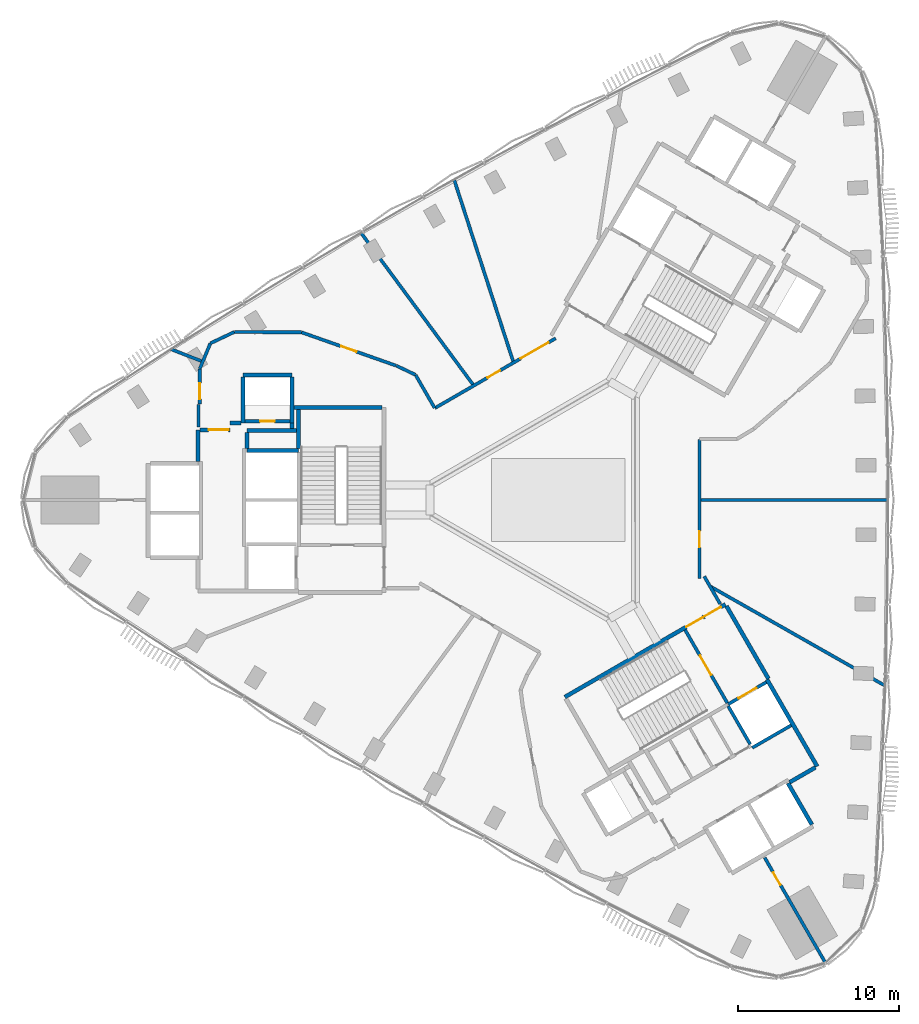
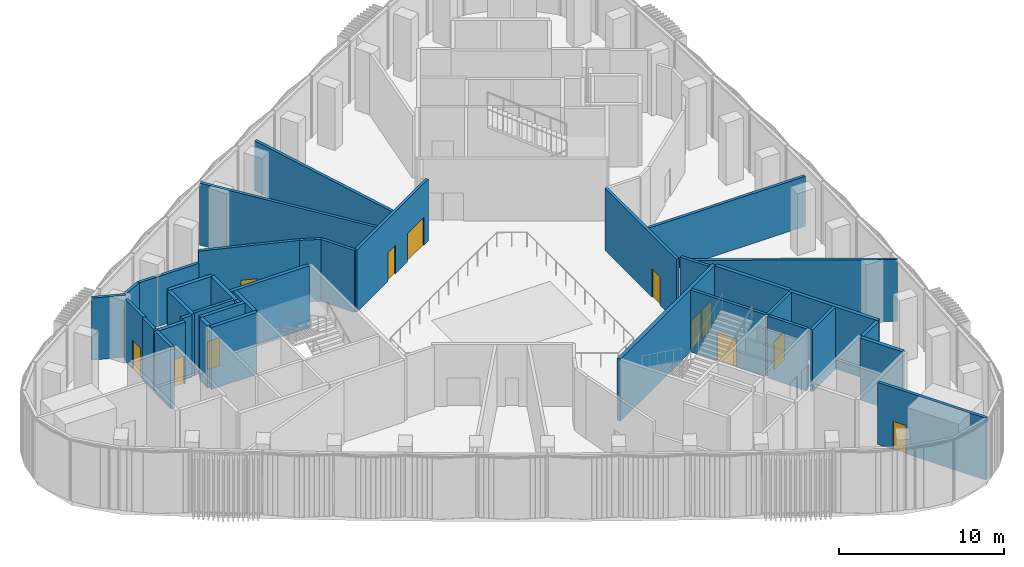
# One storey, part 9 of 17: 39 walls, 12 doors, 12 openings.
"""IFC4 building model written with IfcOpenShell, lengths in metres."""

import ifcopenshell
import ifcopenshell.guid

model = None  # the IFC model being written
_history = None  # IfcOwnerHistory: only IFC2X3 demands one
_inside = {}  # id of a spatial element -> (the spatial element, [elements in it])
_under = {}  # id of a project, library or spatial element -> (it, [spatial elements below it])
_declared = {}  # id of a project -> (the project, [libraries it declares])
_typed = {}  # id of a type object -> (the type object, [elements of that type])
_made_of = {}  # id of a material, layer set ... -> (it, [elements and type objects made of it])


def new_model(schema):
    """Start an empty IFC model of exactly this schema.

    Asked for "IFC4X3", IfcOpenShell would pick the latest addendum, in which some entities
    have other attributes; the version numbers below select the first issue.
    IFC2X3 requires an IfcOwnerHistory on every rooted entity: one is made here for all.
    """
    global model, _history
    if schema == "IFC4X3":
        model = ifcopenshell.file(schema_version=(4, 3, 0, 0))
    else:
        model = ifcopenshell.file(schema=schema)
    _inside.clear()
    _under.clear()
    _declared.clear()
    _typed.clear()
    _made_of.clear()
    _history = None
    if model.schema == "IFC2X3":
        org = make("IfcOrganization", Name="unknown")
        user = make(
            "IfcPersonAndOrganization",
            ThePerson=make("IfcPerson", FamilyName="unknown"),
            TheOrganization=org,
        )
        app = make(
            "IfcApplication",
            ApplicationDeveloper=org,
            Version="unknown",
            ApplicationFullName="unknown",
            ApplicationIdentifier="unknown",
        )
        _history = make(
            "IfcOwnerHistory",
            OwningUser=user,
            OwningApplication=app,
            ChangeAction="ADDED",
            CreationDate=0,
        )
    return model


def make(cls, **values):
    """One entity of the class cls with the attributes given. An attribute that is None is left unset."""
    return model.create_entity(
        cls, **{name: value for name, value in values.items() if value is not None}
    )


def rooted(cls, **values):
    """An entity with a GlobalId (a new one), such as an element, a storey or a relation."""
    return make(cls, GlobalId=ifcopenshell.guid.new(), OwnerHistory=_history, **values)


def si_unit(unit_type, name, prefix=None):
    """IfcSIUnit, for example si_unit("LENGTHUNIT", "METRE", prefix="MILLI")."""
    return make("IfcSIUnit", UnitType=unit_type, Prefix=prefix, Name=name)


def assignment(units):
    """IfcUnitAssignment: the units of a project."""
    return None if units is None else make("IfcUnitAssignment", Units=units)


def point(xyz):
    """IfcCartesianPoint."""
    return None if xyz is None else make("IfcCartesianPoint", Coordinates=xyz)


def direction(xyz):
    """IfcDirection."""
    return None if xyz is None else make("IfcDirection", DirectionRatios=xyz)


def frame(location, z_axis=None, x_axis=None):
    """IfcAxis2Placement3D, a coordinate frame: its origin and axes. An axis left out is left unset."""
    return make(
        "IfcAxis2Placement3D",
        Location=point(location),
        Axis=direction(z_axis),
        RefDirection=direction(x_axis),
    )


def frame_2d(location, x_axis=None):
    """IfcAxis2Placement2D, a coordinate frame in the plane: its origin and x axis."""
    return make(
        "IfcAxis2Placement2D", Location=point(location), RefDirection=direction(x_axis)
    )


def origin():
    """The frame at (0, 0, 0) with its axes left unset."""
    return frame((0.0, 0.0, 0.0))


def place(relative_to, where):
    """IfcLocalPlacement: puts the frame where relative to a parent placement (None: the world)."""
    return make(
        "IfcLocalPlacement", PlacementRelTo=relative_to, RelativePlacement=where
    )


def context(
    kind, dimensions, precision=None, world=None, true_north=None, identifier=None
):
    """IfcGeometricRepresentationContext, for example the 3D "Model" context."""
    return make(
        "IfcGeometricRepresentationContext",
        ContextIdentifier=identifier,
        ContextType=kind,
        CoordinateSpaceDimension=dimensions,
        Precision=precision,
        WorldCoordinateSystem=world,
        TrueNorth=true_north,
    )


def subcontext(parent, identifier, kind, view, scale=None):
    """IfcGeometricRepresentationSubContext, for example "Body" below "Model"."""
    return make(
        "IfcGeometricRepresentationSubContext",
        ContextIdentifier=identifier,
        ContextType=kind,
        ParentContext=parent,
        TargetScale=scale,
        TargetView=view,
    )


def project(units=None, contexts=None):
    """IfcProject with its units and contexts."""
    return rooted(
        "IfcProject",
        Name="project",
        RepresentationContexts=contexts,
        UnitsInContext=assignment(units),
    )


def spatial(cls, under=None, at=None, **own):
    """A site, building, storey or space (cls), placed at a placement, below another one or the project."""
    s = rooted(cls, ObjectPlacement=at, **own)
    if under is not None:
        _under.setdefault(under.id(), (under, []))[1].append(s)
    return s


def profile(cls, at=None, kind="AREA", **sizes):
    """A parametric profile (cls). Its sizes go by their IFC names, for example OverallWidth=200.0."""
    return make(cls, ProfileType=kind, Position=at, **sizes)


def rectangle(**sizes):
    """IfcRectangleProfileDef."""
    return profile("IfcRectangleProfileDef", **sizes)


def extrude(swept, where, along, depth):
    """IfcExtrudedAreaSolid: the profile swept, set in the frame where, extruded along a direction by depth."""
    return make(
        "IfcExtrudedAreaSolid",
        SweptArea=swept,
        Position=where,
        ExtrudedDirection=direction(along),
        Depth=depth,
    )


def shape(context_of_items, identifier, shape_type, items):
    """IfcShapeRepresentation: the items that make up one representation, for example the "Body"."""
    return make(
        "IfcShapeRepresentation",
        ContextOfItems=context_of_items,
        RepresentationIdentifier=identifier,
        RepresentationType=shape_type,
        Items=items,
    )


def material(Name=None, Category=None):
    """IfcMaterial."""
    return make("IfcMaterial", Name=Name, Category=Category)


def layer(
    of_material, thickness, ventilated=None, Name=None, Category=None, Priority=None
):
    """IfcMaterialLayer: one layer of a wall or slab, of a material (None: an air gap)."""
    return make(
        "IfcMaterialLayer",
        Material=of_material,
        LayerThickness=thickness,
        IsVentilated=ventilated,
        Name=Name,
        Category=Category,
        Priority=Priority,
    )


def layer_set(layers, Name=None):
    """IfcMaterialLayerSet."""
    return make("IfcMaterialLayerSet", MaterialLayers=layers, LayerSetName=Name)


def made_of(thing, what):
    """Note that an element or type object is made of a material, layer set ...; save() writes the relation."""
    if what is not None:
        _made_of.setdefault(what.id(), (what, []))[1].append(thing)
    return thing


def type_object(cls, material=None, **own):
    """A type object (cls), such as IfcWallType, which elements share."""
    return made_of(rooted(cls, **own), material)


def element(
    cls,
    number,
    at=None,
    inside=None,
    cuts=None,
    type_object=None,
    material=None,
    context=None,
    identifier="Body",
    shape_type=None,
    held_by="IfcProductDefinitionShape",
    body=None,
    shapes=None,
    **own,
):
    """One element of the class cls, such as IfcWall. Its Tag is "e" and its number.

    at: its placement. inside: the storey or other place that contains it. cuts: it is an
    opening in that element (IfcRelVoidsElement). A single representation is given by context,
    identifier, shape_type and body (its items); several are given by shapes. held_by: the class
    of the entity that holds the representations. save() writes the other relations.
    """
    e = rooted(cls, Tag="e%d" % number, ObjectPlacement=at, **own)
    if body is not None:
        shapes = [shape(context, identifier, shape_type, body)]
    if shapes is not None:
        e.Representation = make(held_by, Representations=shapes)
    if inside is not None:
        _inside.setdefault(inside.id(), (inside, []))[1].append(e)
    if cuts is not None:
        rooted(
            "IfcRelVoidsElement", RelatingBuildingElement=cuts, RelatedOpeningElement=e
        )
    if type_object is not None:
        _typed.setdefault(type_object.id(), (type_object, []))[1].append(e)
    return made_of(e, material)


def fill(opening, filler):
    """IfcRelFillsElement: the door or window that sits in an opening."""
    return rooted(
        "IfcRelFillsElement",
        RelatingOpeningElement=opening,
        RelatedBuildingElement=filler,
    )


def aggregate(whole, parts):
    """IfcRelAggregates: a whole, such as a stair, and the parts it consists of."""
    return rooted("IfcRelAggregates", RelatingObject=whole, RelatedObjects=parts)


def save(model, path):
    """Write the relations noted so far, then the file.

    IfcRelAggregates (storeys below a building ...), IfcRelContainedInSpatialStructure (elements
    in a storey), IfcRelDefinesByType, IfcRelAssociatesMaterial and IfcRelDeclares: one each for
    every whole, place, type object, material and project.
    """
    for whole, parts in _under.values():
        aggregate(whole, parts)
    for where, things in _inside.values():
        rooted(
            "IfcRelContainedInSpatialStructure",
            RelatedElements=things,
            RelatingStructure=where,
        )
    for kind, things in _typed.values():
        rooted("IfcRelDefinesByType", RelatedObjects=things, RelatingType=kind)
    for what, things in _made_of.values():
        rooted("IfcRelAssociatesMaterial", RelatedObjects=things, RelatingMaterial=what)
    for by, libraries in _declared.values():
        rooted("IfcRelDeclares", RelatingContext=by, RelatedDefinitions=libraries)
    model.write(path)


model = new_model("IFC4")

# Units and contexts
model_context = context("Model", 3, precision=1e-05, world=origin(), true_north=direction((0.0, 1.0)))
body_context = subcontext(model_context, "Body", "Model", "MODEL_VIEW")
ifc_project = project(units=[si_unit("LENGTHUNIT", "METRE"), si_unit("AREAUNIT", "SQUARE_METRE"), si_unit("VOLUMEUNIT", "CUBIC_METRE"), si_unit("PLANEANGLEUNIT", "RADIAN"), si_unit("MASSUNIT", "GRAM", prefix="KILO")], contexts=[model_context])

# Site, building, storey
site_placement = place(None, origin())
site = spatial("IfcSite", under=ifc_project, at=site_placement, CompositionType="ELEMENT")
building_placement = place(site_placement, origin())
building = spatial("IfcBuilding", under=site, at=building_placement, Name="Tamra Quay Hotel Tower", CompositionType="ELEMENT")
storey_placement = place(building_placement, frame((0.0, 0.0, 123.800048828125)))
storey = spatial("IfcBuildingStorey", under=building, at=storey_placement, Name="L30", CompositionType="ELEMENT", Elevation=123.800048828125)

# Wall, opening, door
ifc_material_1 = material(Name="Concrete M70", Category="concrete")
ifc_layer_1 = layer(ifc_material_1, 0.199951171875)
ifc_layer_set_1 = layer_set([ifc_layer_1], Name="Concrete M70 core wall 200")
wall_type_1 = type_object("IfcWallType", Name="Concrete M70 core wall 200", PredefinedType="SHEAR", material=ifc_layer_set_1)
wall_1_placement = place(storey_placement, frame((-19.51123046875, 4.91015625, 0.0), z_axis=(0.0, 0.0, 1.0), x_axis=(1.0, 0.0, 0.0)))
wall_1 = element("IfcWall", 1, at=wall_1_placement, inside=storey, type_object=wall_type_1, Name="CW2", PredefinedType="SHEAR", context=body_context, shape_type="SweptSolid", body=[
    extrude(rectangle(XDim=2.7978515625, YDim=0.199951171875, at=frame_2d((1.39892578125, 0.0))), origin(), (0.0, 0.0, 1.0), 4.599853515625),
])
opening_1_placement = place(wall_1_placement, frame((0.948974609375, 0.0, 0.0)))
opening_1 = element("IfcOpeningElement", 2, at=opening_1_placement, cuts=wall_1, Name="Opening D1", PredefinedType="OPENING", context=body_context, shape_type="SweptSolid", body=[
    extrude(rectangle(XDim=0.89990234375, YDim=2.10009765625, at=frame_2d((0.449951171875, 1.050048828125))), frame((0.0, 0.10986328125, 0.0), z_axis=(0.0, -1.0, 0.0), x_axis=(1.0, 0.0, 0.0)), (0.0, 0.0, 1.0), 0.219970703125),
])
ifc_material_2 = material(Name="Core door D1 900x2100 LH")
door_type_1 = type_object("IfcDoorType", Name="Core door D1 900x2100 LH", OperationType="NOTDEFINED", PredefinedType="DOOR", material=ifc_material_2)
door_1_placement = place(opening_1_placement, origin())
door_1 = element("IfcDoor", 3, at=door_1_placement, inside=storey, type_object=door_type_1, Name="D1", OperationType="SINGLE_SWING_LEFT", OverallHeight=2.10009765625, OverallWidth=0.89990234375, PredefinedType="DOOR", context=body_context, shape_type="SweptSolid", body=[
    extrude(rectangle(XDim=0.89990234375, YDim=2.10009765625, at=frame_2d((0.449951171875, 1.050048828125))), frame((0.0, 0.02490234375, 0.0), z_axis=(0.0, -1.0, 0.0), x_axis=(1.0, 0.0, 0.0)), (0.0, 0.0, 1.0), 0.050048828125),
])
fill(opening_1, door_1)

wall_2_placement = place(storey_placement, frame((7.906494140625, -8.094482421875, 0.0), z_axis=(0.0, 0.0, 1.0), x_axis=(0.500024287448, -0.866011380966, 0.0)))
wall_2 = element("IfcWall", 4, at=wall_2_placement, inside=storey, type_object=wall_type_1, Name="CW2", PredefinedType="SHEAR", context=body_context, shape_type="SweptSolid", body=[
    extrude(rectangle(XDim=5.251220703125, YDim=0.199951171875, at=frame_2d((2.62548828125, 0.0))), origin(), (0.0, 0.0, 1.0), 4.599853515625),
])
opening_2_placement = place(wall_2_placement, frame((1.84912109375, 0.0, 0.0)))
opening_2 = element("IfcOpeningElement", 5, at=opening_2_placement, cuts=wall_2, Name="Opening FD2", PredefinedType="OPENING", context=body_context, shape_type="SweptSolid", body=[
    extrude(rectangle(XDim=1.39990234375, YDim=2.10009765625, at=frame_2d((0.699951171875, 1.050048828125))), frame((0.0, 0.10986328125, 0.0), z_axis=(0.0, -1.0, 0.0), x_axis=(1.0, 0.0, 0.0)), (0.0, 0.0, 1.0), 0.219970703125),
])
ifc_material_3 = material(Name="Core door FD2 1400x2100 LH")
door_type_2 = type_object("IfcDoorType", Name="Core door FD2 1400x2100 LH", OperationType="NOTDEFINED", PredefinedType="DOOR", material=ifc_material_3)
door_2_placement = place(opening_2_placement, origin())
door_2 = element("IfcDoor", 6, at=door_2_placement, inside=storey, type_object=door_type_2, Name="FD2", OperationType="SINGLE_SWING_LEFT", OverallHeight=2.10009765625, OverallWidth=1.39990234375, PredefinedType="DOOR", context=body_context, shape_type="SweptSolid", body=[
    extrude(rectangle(XDim=1.39990234375, YDim=2.10009765625, at=frame_2d((0.699951171875, 1.050048828125))), frame((0.0, 0.02490234375, 0.0), z_axis=(0.0, -1.0, 0.0), x_axis=(1.0, 0.0, 0.0)), (0.0, 0.0, 1.0), 0.050048828125),
])
fill(opening_2, door_2)

# Wall
wall_3_placement = place(storey_placement, frame((11.962646484375, -15.219970703125, 0.0), z_axis=(0.0, 0.0, 1.0), x_axis=(-0.500034990121, 0.866005201286, 0.0)))
element("IfcWall", 7, at=wall_3_placement, inside=storey, type_object=wall_type_1, Name="CW2", PredefinedType="SHEAR", context=body_context, shape_type="SweptSolid", body=[
    extrude(rectangle(XDim=2.749755859375, YDim=0.199951171875, at=frame_2d((1.375, 0.0))), origin(), (0.0, 0.0, 1.0), 4.599853515625),
])

# Wall, opening, door
wall_4_placement = place(storey_placement, frame((10.587158203125, -12.72314453125, 0.0), z_axis=(0.0, 0.0, 1.0), x_axis=(0.866037306777, 0.499979382845, 0.0)))
wall_4 = element("IfcWall", 8, at=wall_4_placement, inside=storey, type_object=wall_type_1, Name="CW2", PredefinedType="SHEAR", context=body_context, shape_type="SweptSolid", body=[
    extrude(rectangle(XDim=2.74169921875, YDim=0.199951171875, at=frame_2d((1.370849609375, 0.0))), origin(), (0.0, 0.0, 1.0), 4.599853515625),
])
opening_3_placement = place(wall_4_placement, frame((0.742919921875, 0.0, 0.0)))
opening_3 = element("IfcOpeningElement", 9, at=opening_3_placement, cuts=wall_4, Name="Opening LD", PredefinedType="OPENING", context=body_context, shape_type="SweptSolid", body=[
    extrude(rectangle(XDim=1.300048828125, YDim=2.10009765625, at=frame_2d((0.64990234375, 1.050048828125))), frame((0.0, 0.10986328125, 0.0), z_axis=(0.0, -1.0, 0.0), x_axis=(1.0, 0.0, 0.0)), (0.0, 0.0, 1.0), 0.219970703125),
])
ifc_material_4 = material(Name="Landing door LD 1300 sliding to left")
door_type_3 = type_object("IfcDoorType", Name="Landing door LD 1300 sliding to left", OperationType="NOTDEFINED", PredefinedType="DOOR", material=ifc_material_4)
door_3_placement = place(opening_3_placement, origin())
door_3 = element("IfcDoor", 10, at=door_3_placement, inside=storey, type_object=door_type_3, Name="LD", OperationType="SLIDING_TO_LEFT", OverallHeight=2.10009765625, OverallWidth=1.300048828125, PredefinedType="DOOR", context=body_context, shape_type="SweptSolid", body=[
    extrude(rectangle(XDim=1.300048828125, YDim=2.10009765625, at=frame_2d((0.64990234375, 1.050048828125))), frame((0.0, 0.02490234375, 0.0), z_axis=(0.0, -1.0, 0.0), x_axis=(1.0, 0.0, 0.0)), (0.0, 0.0, 1.0), 0.050048828125),
])
fill(opening_3, door_3)

# Walls
wall_5_placement = place(storey_placement, frame((14.51171875, -14.037109375, 0.0), z_axis=(0.0, 0.0, 1.0), x_axis=(-0.866044696403, -0.499966582715, 0.0)))
element("IfcWall", 11, at=wall_5_placement, inside=storey, type_object=wall_type_1, Name="CW2", PredefinedType="SHEAR", context=body_context, shape_type="SweptSolid", body=[
    extrude(rectangle(XDim=2.799072265625, YDim=0.199951171875, at=frame_2d((1.3994140625, 0.0))), origin(), (0.0, 0.0, 1.0), 4.599853515625),
])
ifc_layer_2 = layer(ifc_material_1, 0.25)
ifc_layer_set_2 = layer_set([ifc_layer_2], Name="Concrete M70 core wall 250")
wall_type_2 = type_object("IfcWallType", Name="Concrete M70 core wall 250", PredefinedType="SHEAR", material=ifc_layer_set_2)
wall_6_placement = place(storey_placement, frame((-16.47216796875, 5.77490234375, 0.0), z_axis=(0.0, 0.0, 1.0), x_axis=(1.0, 0.0, 0.0)))
element("IfcWall", 12, at=wall_6_placement, inside=storey, type_object=wall_type_2, Name="CW1", PredefinedType="SHEAR", context=body_context, shape_type="SweptSolid", body=[
    extrude(rectangle(XDim=5.509521484375, YDim=0.25, at=frame_2d((2.7548828125, 0.0))), origin(), (0.0, 0.0, 1.0), 4.599853515625),
])
wall_7_placement = place(storey_placement, frame((-19.38720703125, 3.074951171875, 0.0), z_axis=(0.0, 0.0, 1.0), x_axis=(1.0, 0.0, 0.0)))
element("IfcWall", 13, at=wall_7_placement, inside=storey, type_object=wall_type_2, Name="CW1", PredefinedType="SHEAR", context=body_context, shape_type="SweptSolid", body=[
    extrude(rectangle(XDim=3.199951171875, YDim=0.25, at=frame_2d((1.60009765625, 0.0))), origin(), (0.0, 0.0, 1.0), 4.599853515625),
])
wall_8_placement = place(storey_placement, frame((-19.63720703125, 7.77490234375, 0.0), z_axis=(0.0, 0.0, 1.0), x_axis=(1.0, 0.0, 0.0)))
element("IfcWall", 14, at=wall_8_placement, inside=storey, type_object=wall_type_2, Name="CW1", PredefinedType="SHEAR", context=body_context, shape_type="SweptSolid", body=[
    extrude(rectangle(XDim=3.0498046875, YDim=0.25, at=frame_2d((1.52490234375, 0.0))), origin(), (0.0, 0.0, 1.0), 4.599853515625),
])
for number, where, z_axis, x_axis, name in (
    (15, (-16.58740234375, 7.649658203125, 0.0), (0.0, 0.0, 1.0), (0.0, -1.0, 0.0), "CW1"),
    (16, (-19.63720703125, 4.784912109375, 0.0), (0.0, 0.0, 1.0), (0.0, 1.0, 0.0), "CW1"),
):
    element("IfcWall", number, at=place(storey_placement, frame(where, z_axis=z_axis, x_axis=x_axis)), inside=storey, type_object=wall_type_2, Name=name, PredefinedType="SHEAR", context=body_context, shape_type="SweptSolid", body=[
        extrude(rectangle(XDim=2.86474609375, YDim=0.25, at=frame_2d((1.432373046875, 0.0))), origin(), (0.0, 0.0, 1.0), 4.599853515625),
    ])
wall_9_placement = place(storey_placement, frame((-16.30224609375, 4.31494140625, 0.0), z_axis=(0.0, 0.0, 1.0), x_axis=(-1.0, 0.0, 0.0)))
element("IfcWall", 17, at=wall_9_placement, inside=storey, type_object=wall_type_2, Name="CW1", PredefinedType="SHEAR", context=body_context, shape_type="SweptSolid", body=[
    extrude(rectangle(XDim=3.0849609375, YDim=0.25, at=frame_2d((1.54248046875, 0.0))), origin(), (0.0, 0.0, 1.0), 4.599853515625),
])
wall_10_placement = place(storey_placement, frame((-16.187255859375, 3.200439453125, 0.0), z_axis=(0.0, 0.0, 1.0), x_axis=(0.0, 1.0, 0.0)))
element("IfcWall", 18, at=wall_10_placement, inside=storey, type_object=wall_type_2, Name="CW1", PredefinedType="SHEAR", context=body_context, shape_type="SweptSolid", body=[
    extrude(rectangle(XDim=2.44921875, YDim=0.25, at=frame_2d((1.224609375, 0.0))), origin(), (0.0, 0.0, 1.0), 4.599853515625),
])
wall_11_placement = place(storey_placement, frame((-22.437255859375, 2.400390625, 0.0), z_axis=(0.0, 0.0, 1.0), x_axis=(0.0, 1.0, 0.0)))
element("IfcWall", 19, at=wall_11_placement, inside=storey, type_object=wall_type_2, Name="CW1", PredefinedType="SHEAR", context=body_context, shape_type="SweptSolid", body=[
    extrude(rectangle(XDim=1.974609375, YDim=0.25, at=frame_2d((0.9873046875, 0.0))), origin(), (0.0, 0.0, 1.0), 4.599853515625),
])

# Wall, opening, door
wall_12_placement = place(storey_placement, frame((-22.311767578125, 4.375, 0.0), z_axis=(0.0, 0.0, 1.0), x_axis=(1.0, 0.0, 0.0)))
wall_12 = element("IfcWall", 20, at=wall_12_placement, inside=storey, type_object=wall_type_2, Name="CW1", PredefinedType="SHEAR", context=body_context, shape_type="SweptSolid", body=[
    extrude(rectangle(XDim=1.864501953125, YDim=0.25, at=frame_2d((0.93212890625, 0.0))), origin(), (0.0, 0.0, 1.0), 4.599853515625),
])
opening_4_placement = place(wall_12_placement, frame((0.53466796875, 0.0, 0.0)))
opening_4 = element("IfcOpeningElement", 21, at=opening_4_placement, cuts=wall_12, Name="Opening FD3", PredefinedType="OPENING", context=body_context, shape_type="SweptSolid", body=[
    extrude(rectangle(XDim=1.25, YDim=2.10009765625, at=frame_2d((0.625, 1.050048828125))), frame((0.0, 0.135009765625, 0.0), z_axis=(0.0, -1.0, 0.0), x_axis=(1.0, 0.0, 0.0)), (0.0, 0.0, 1.0), 0.27001953125),
])
ifc_material_5 = material(Name="Core door FD3 1250x2100 LH")
door_type_4 = type_object("IfcDoorType", Name="Core door FD3 1250x2100 LH", OperationType="NOTDEFINED", PredefinedType="DOOR", material=ifc_material_5)
door_4_placement = place(opening_4_placement, origin())
door_4 = element("IfcDoor", 22, at=door_4_placement, inside=storey, type_object=door_type_4, Name="FD3", OperationType="SINGLE_SWING_LEFT", OverallHeight=2.10009765625, OverallWidth=1.25, PredefinedType="DOOR", context=body_context, shape_type="SweptSolid", body=[
    extrude(rectangle(XDim=1.25, YDim=2.10009765625, at=frame_2d((0.625, 1.050048828125))), frame((0.0, 0.02490234375, 0.0), z_axis=(0.0, -1.0, 0.0), x_axis=(1.0, 0.0, 0.0)), (0.0, 0.0, 1.0), 0.050048828125),
])
fill(opening_4, door_4)

# Walls
wall_13_placement = place(storey_placement, frame((-19.38720703125, 4.189697265625, 0.0), z_axis=(0.0, 0.0, 1.0), x_axis=(0.0, -1.0, 0.0)))
element("IfcWall", 23, at=wall_13_placement, inside=storey, type_object=wall_type_2, Name="CW1", PredefinedType="SHEAR", context=body_context, shape_type="SweptSolid", body=[
    extrude(rectangle(XDim=0.9892578125, YDim=0.25, at=frame_2d((0.49462890625, 0.0))), origin(), (0.0, 0.0, 1.0), 4.599853515625),
])
wall_14_placement = place(storey_placement, frame((-20.447265625, 4.784912109375, 0.0), z_axis=(0.0, 0.0, 1.0), x_axis=(1.0, 0.0, 0.0)))
element("IfcWall", 24, at=wall_14_placement, inside=storey, type_object=wall_type_2, Name="CW1", PredefinedType="SHEAR", context=body_context, shape_type="SweptSolid", body=[
    extrude(rectangle(XDim=0.6845703125, YDim=0.25, at=frame_2d((0.34228515625, 0.0))), origin(), (0.0, 0.0, 1.0), 4.599853515625),
])
wall_15_placement = place(storey_placement, frame((-16.577392578125, 4.784912109375, 0.0), z_axis=(0.0, 0.0, 1.0), x_axis=(0.0, -1.0, 0.0)))
element("IfcWall", 25, at=wall_15_placement, inside=storey, type_object=wall_type_2, Name="CW1", PredefinedType="SHEAR", context=body_context, shape_type="SweptSolid", body=[
    extrude(rectangle(XDim=0.344482421875, YDim=0.25, at=frame_2d((0.17236328125, 0.0))), origin(), (0.0, 0.0, 1.0), 4.599853515625),
])

# Wall, openings, doors
wall_16_placement = place(storey_placement, frame((0.417236328125, -12.27294921875, 0.0), z_axis=(0.0, 0.0, 1.0), x_axis=(0.866021906294, 0.500006057782, 0.0)))
wall_16 = element("IfcWall", 26, at=wall_16_placement, inside=storey, type_object=wall_type_2, Name="CW1", PredefinedType="SHEAR", context=body_context, shape_type="SweptSolid", body=[
    extrude(rectangle(XDim=11.550048828125, YDim=0.25, at=frame_2d((5.77490234375, 0.0))), origin(), (0.0, 0.0, 1.0), 4.599853515625),
])
opening_5_placement = place(wall_16_placement, frame((10.024658203125, 0.0, 0.0)))
opening_5 = element("IfcOpeningElement", 27, at=opening_5_placement, cuts=wall_16, Name="Opening FD1", PredefinedType="OPENING", context=body_context, shape_type="SweptSolid", body=[
    extrude(rectangle(XDim=1.199951171875, YDim=2.10009765625, at=frame_2d((0.60009765625, 1.050048828125))), frame((0.0, 0.135009765625, 0.0), z_axis=(0.0, -1.0, 0.0), x_axis=(1.0, 0.0, 0.0)), (0.0, 0.0, 1.0), 0.27001953125),
])
opening_6_placement = place(wall_16_placement, frame((8.724609375, 0.0, 0.0)))
opening_6 = element("IfcOpeningElement", 28, at=opening_6_placement, cuts=wall_16, Name="Opening FD1", PredefinedType="OPENING", context=body_context, shape_type="SweptSolid", body=[
    extrude(rectangle(XDim=1.199951171875, YDim=2.10009765625, at=frame_2d((0.60009765625, 1.050048828125))), frame((0.0, 0.135009765625, 0.0), z_axis=(0.0, -1.0, 0.0), x_axis=(1.0, 0.0, 0.0)), (0.0, 0.0, 1.0), 0.27001953125),
])
ifc_material_6 = material(Name="Core door FD1 1200x2100 LH")
door_type_5 = type_object("IfcDoorType", Name="Core door FD1 1200x2100 LH", OperationType="NOTDEFINED", PredefinedType="DOOR", material=ifc_material_6)
door_5_placement = place(opening_5_placement, origin())
door_5 = element("IfcDoor", 29, at=door_5_placement, inside=storey, type_object=door_type_5, Name="FD1", OperationType="SINGLE_SWING_LEFT", OverallHeight=2.10009765625, OverallWidth=1.199951171875, PredefinedType="DOOR", context=body_context, shape_type="SweptSolid", body=[
    extrude(rectangle(XDim=1.199951171875, YDim=2.10009765625, at=frame_2d((0.60009765625, 1.050048828125))), frame((0.0, 0.02490234375, 0.0), z_axis=(0.0, -1.0, 0.0), x_axis=(1.0, 0.0, 0.0)), (0.0, 0.0, 1.0), 0.050048828125),
])
fill(opening_5, door_5)
ifc_material_7 = material(Name="Core door FD1 1200x2100 RH")
door_type_6 = type_object("IfcDoorType", Name="Core door FD1 1200x2100 RH", OperationType="NOTDEFINED", PredefinedType="DOOR", material=ifc_material_7)
door_6_placement = place(opening_6_placement, origin())
door_6 = element("IfcDoor", 30, at=door_6_placement, inside=storey, type_object=door_type_6, Name="FD1", OperationType="SINGLE_SWING_RIGHT", OverallHeight=2.10009765625, OverallWidth=1.199951171875, PredefinedType="DOOR", context=body_context, shape_type="SweptSolid", body=[
    extrude(rectangle(XDim=1.199951171875, YDim=2.10009765625, at=frame_2d((0.60009765625, 1.050048828125))), frame((0.0, 0.02490234375, 0.0), z_axis=(0.0, -1.0, 0.0), x_axis=(1.0, 0.0, 0.0)), (0.0, 0.0, 1.0), 0.050048828125),
])
fill(opening_6, door_6)

# Walls
wall_17_placement = place(storey_placement, frame((13.00830078125, -11.18115234375, 0.0), z_axis=(0.0, 0.0, 1.0), x_axis=(0.500004234368, -0.866022959057, 0.0)))
element("IfcWall", 31, at=wall_17_placement, inside=storey, type_object=wall_type_2, Name="CW1", PredefinedType="SHEAR", context=body_context, shape_type="SweptSolid", body=[
    extrude(rectangle(XDim=6.25, YDim=0.25, at=frame_2d((3.125, 0.0))), origin(), (0.0, 0.0, 1.0), 4.599853515625),
])
wall_18_placement = place(storey_placement, frame((10.482666015625, -6.6064453125, 0.0), z_axis=(0.0, 0.0, 1.0), x_axis=(0.49999885962, -0.866026062182, 0.0)))
element("IfcWall", 32, at=wall_18_placement, inside=storey, type_object=wall_type_2, Name="CW1", PredefinedType="SHEAR", context=body_context, shape_type="SweptSolid", body=[
    extrude(rectangle(XDim=5.224609375, YDim=0.25, at=frame_2d((2.6123046875, 0.0))), origin(), (0.0, 0.0, 1.0), 4.599853515625),
])
wall_19_placement = place(storey_placement, frame((14.314697265625, -17.643798828125, 0.0), z_axis=(0.0, 0.0, 1.0), x_axis=(0.500023226632, -0.866011993467, 0.0)))
element("IfcWall", 33, at=wall_19_placement, inside=storey, type_object=wall_type_2, Name="CW1", PredefinedType="SHEAR", context=body_context, shape_type="SweptSolid", body=[
    extrude(rectangle(XDim=2.974365234375, YDim=0.25, at=frame_2d((1.4873046875, 0.0))), origin(), (0.0, 0.0, 1.0), 4.599853515625),
])
wall_20_placement = place(storey_placement, frame((16.024658203125, -16.656494140625, 0.0), z_axis=(0.0, 0.0, 1.0), x_axis=(-0.866016279763, -0.500015802937, 0.0)))
element("IfcWall", 34, at=wall_20_placement, inside=storey, type_object=wall_type_2, Name="CW1", PredefinedType="SHEAR", context=body_context, shape_type="SweptSolid", body=[
    extrude(rectangle(XDim=1.84912109375, YDim=0.25, at=frame_2d((0.924560546875, 0.0))), origin(), (0.0, 0.0, 1.0), 4.599853515625),
])
ifc_material_8 = material(Name="Partition corridor wall")
ifc_layer_3 = layer(ifc_material_8, 0.199951171875)
ifc_layer_set_3 = layer_set([ifc_layer_3], Name="Partition corridor wall")
wall_type_3 = type_object("IfcWallType", Name="Partition corridor wall", PredefinedType="PARTITIONING", material=ifc_layer_set_3)
wall_21_placement = place(storey_placement, frame((-22.412109375, 4.56005859375, 0.0), z_axis=(0.0, 0.0, 1.0), x_axis=(0.0, 1.0, 0.0)))
element("IfcWall", 35, at=wall_21_placement, inside=storey, type_object=wall_type_3, Name="W-C", PredefinedType="PARTITIONING", context=body_context, shape_type="SweptSolid", body=[
    extrude(rectangle(XDim=1.388916015625, YDim=0.199951171875, at=frame_2d((0.6943359375, 0.0))), origin(), (0.0, 0.0, 1.0), 4.599853515625),
])

# Wall, opening, door
wall_22_placement = place(storey_placement, frame((-22.33203125, 8.156005859375, 0.0), z_axis=(0.0, 0.0, 1.0), x_axis=(0.000445732071, -0.999999900661, 0.0)))
wall_22 = element("IfcWall", 36, at=wall_22_placement, inside=storey, type_object=wall_type_3, Name="W-C", PredefinedType="PARTITIONING", context=body_context, shape_type="SweptSolid", body=[
    extrude(rectangle(XDim=2.19091796875, YDim=0.199951171875, at=frame_2d((1.095458984375, 0.0))), origin(), (0.0, 0.0, 1.0), 4.599853515625),
])
opening_7_placement = place(wall_22_placement, frame((0.872314453125, 0.0, 0.0)))
opening_7 = element("IfcOpeningElement", 37, at=opening_7_placement, cuts=wall_22, Name="Opening L30-D006", PredefinedType="OPENING", context=body_context, shape_type="SweptSolid", body=[
    extrude(rectangle(XDim=1.0, YDim=2.10009765625, at=frame_2d((0.5, 1.050048828125))), frame((0.0, 0.10986328125, 0.0), z_axis=(0.0, -1.0, 0.0), x_axis=(1.0, 0.0, 0.0)), (0.0, 0.0, 1.0), 0.219970703125),
])
ifc_material_9 = material(Name="Door guest room 1000x2100")
door_type_7 = type_object("IfcDoorType", Name="Door guest room 1000x2100", OperationType="NOTDEFINED", PredefinedType="DOOR", material=ifc_material_9)
door_7_placement = place(opening_7_placement, frame((1.0, 0.0, 0.0), z_axis=(0.0, 0.0, 1.0), x_axis=(-1.0, 0.0, 0.0)))
door_7 = element("IfcDoor", 38, at=door_7_placement, inside=storey, type_object=door_type_7, Name="L30-D006", OperationType="SINGLE_SWING_LEFT", OverallHeight=2.10009765625, OverallWidth=1.0, PredefinedType="DOOR", context=body_context, shape_type="SweptSolid", body=[
    extrude(rectangle(XDim=1.0, YDim=2.10009765625, at=frame_2d((0.5, 1.050048828125))), frame((0.0, 0.02490234375, 0.0), z_axis=(0.0, -1.0, 0.0), x_axis=(1.0, 0.0, 0.0)), (0.0, 0.0, 1.0), 0.050048828125),
])
fill(opening_7, door_7)

# Walls
wall_23_placement = place(storey_placement, frame((-22.328125, 8.171630859375, 0.0), z_axis=(0.0, 0.0, 1.0), x_axis=(0.383795251276, 0.923418217872, 0.0)))
element("IfcWall", 39, at=wall_23_placement, inside=storey, type_object=wall_type_3, Name="W-C", PredefinedType="PARTITIONING", context=body_context, shape_type="SweptSolid", body=[
    extrude(rectangle(XDim=1.71240234375, YDim=0.199951171875, at=frame_2d((0.856201171875, 0.0))), origin(), (0.0, 0.0, 1.0), 3.699951171875),
])
wall_24_placement = place(storey_placement, frame((-21.662109375, 9.761962890625, 0.0), z_axis=(0.0, 0.0, 1.0), x_axis=(0.903777351921, 0.428002918394, 0.0)))
element("IfcWall", 40, at=wall_24_placement, inside=storey, type_object=wall_type_3, Name="W-C", PredefinedType="PARTITIONING", context=body_context, shape_type="SweptSolid", body=[
    extrude(rectangle(XDim=1.635498046875, YDim=0.199951171875, at=frame_2d((0.81787109375, 0.0))), origin(), (0.0, 0.0, 1.0), 3.699951171875),
])
wall_25_placement = place(storey_placement, frame((-20.174072265625, 10.465087890625, 0.0), z_axis=(0.0, 0.0, 1.0), x_axis=(0.999987409632, -0.005018025279, 0.0)))
element("IfcWall", 41, at=wall_25_placement, inside=storey, type_object=wall_type_3, Name="W-C", PredefinedType="PARTITIONING", context=body_context, shape_type="SweptSolid", body=[
    extrude(rectangle(XDim=4.18408203125, YDim=0.199951171875, at=frame_2d((2.092041015625, 0.0))), origin(), (0.0, 0.0, 1.0), 3.699951171875),
])

# Wall, opening, door
wall_26_placement = place(storey_placement, frame((-15.987060546875, 10.444091796875, 0.0), z_axis=(0.0, 0.0, 1.0), x_axis=(0.943118792832, -0.332455925811, 0.0)))
wall_26 = element("IfcWall", 42, at=wall_26_placement, inside=storey, type_object=wall_type_3, Name="W-C", PredefinedType="PARTITIONING", context=body_context, shape_type="SweptSolid", body=[
    extrude(rectangle(XDim=6.241943359375, YDim=0.199951171875, at=frame_2d((3.12109375, 0.0))), origin(), (0.0, 0.0, 1.0), 4.599853515625),
])
opening_8_placement = place(wall_26_placement, frame((2.62109375, 0.0, 0.0)))
opening_8 = element("IfcOpeningElement", 43, at=opening_8_placement, cuts=wall_26, Name="Opening L30-D005", PredefinedType="OPENING", context=body_context, shape_type="SweptSolid", body=[
    extrude(rectangle(XDim=1.0, YDim=2.10009765625, at=frame_2d((0.5, 1.050048828125))), frame((0.0, 0.10986328125, 0.0), z_axis=(0.0, -1.0, 0.0), x_axis=(1.0, 0.0, 0.0)), (0.0, 0.0, 1.0), 0.219970703125),
])
door_8_placement = place(opening_8_placement, origin())
door_8 = element("IfcDoor", 44, at=door_8_placement, inside=storey, type_object=door_type_7, Name="L30-D005", OperationType="SINGLE_SWING_LEFT", OverallHeight=2.10009765625, OverallWidth=1.0, PredefinedType="DOOR", context=body_context, shape_type="SweptSolid", body=[
    extrude(rectangle(XDim=1.0, YDim=2.10009765625, at=frame_2d((0.5, 1.050048828125))), frame((0.0, 0.02490234375, 0.0), z_axis=(0.0, -1.0, 0.0), x_axis=(1.0, 0.0, 0.0)), (0.0, 0.0, 1.0), 0.050048828125),
])
fill(opening_8, door_8)

# Walls
wall_27_placement = place(storey_placement, frame((-10.0830078125, 8.364990234375, 0.0), z_axis=(0.0, 0.0, 1.0), x_axis=(0.903403797446, -0.428790833344, 0.0)))
element("IfcWall", 45, at=wall_27_placement, inside=storey, type_object=wall_type_3, Name="W-C", PredefinedType="PARTITIONING", context=body_context, shape_type="SweptSolid", body=[
    extrude(rectangle(XDim=1.310791015625, YDim=0.199951171875, at=frame_2d((0.6552734375, 0.0))), origin(), (0.0, 0.0, 1.0), 4.599853515625),
])
wall_28_placement = place(storey_placement, frame((-8.885009765625, 7.7900390625, 0.0), z_axis=(0.0, 0.0, 1.0), x_axis=(0.499657156181, -0.866223254293, 0.0)))
element("IfcWall", 46, at=wall_28_placement, inside=storey, type_object=wall_type_3, Name="W-C", PredefinedType="PARTITIONING", context=body_context, shape_type="SweptSolid", body=[
    extrude(rectangle(XDim=2.373779296875, YDim=0.199951171875, at=frame_2d((1.18701171875, 0.0))), origin(), (0.0, 0.0, 1.0), 4.599853515625),
])

# Wall, openings, doors
wall_29_placement = place(storey_placement, frame((-7.674072265625, 5.728271484375, 0.0), z_axis=(0.0, 0.0, 1.0), x_axis=(0.865879153223, 0.50025322789, 0.0)))
wall_29 = element("IfcWall", 47, at=wall_29_placement, inside=storey, type_object=wall_type_3, Name="W-C", PredefinedType="PARTITIONING", context=body_context, shape_type="SweptSolid", body=[
    extrude(rectangle(XDim=8.67919921875, YDim=0.199951171875, at=frame_2d((4.339599609375, 0.0))), origin(), (0.0, 0.0, 1.0), 4.599853515625),
])
opening_9_placement = place(wall_29_placement, frame((6.159912109375, 0.0, 0.0)))
opening_9 = element("IfcOpeningElement", 48, at=opening_9_placement, cuts=wall_29, Name="Opening L30-D003", PredefinedType="OPENING", context=body_context, shape_type="SweptSolid", body=[
    extrude(rectangle(XDim=2.0, YDim=2.10009765625, at=frame_2d((1.0, 1.050048828125))), frame((0.0, 0.10986328125, 0.0), z_axis=(0.0, -1.0, 0.0), x_axis=(1.0, 0.0, 0.0)), (0.0, 0.0, 1.0), 0.219970703125),
])
opening_10_placement = place(wall_29_placement, frame((3.770263671875, 0.0, 0.0)))
opening_10 = element("IfcOpeningElement", 49, at=opening_10_placement, cuts=wall_29, Name="Opening L30-D004", PredefinedType="OPENING", context=body_context, shape_type="SweptSolid", body=[
    extrude(rectangle(XDim=0.89990234375, YDim=2.10009765625, at=frame_2d((0.449951171875, 1.050048828125))), frame((0.0, 0.10986328125, 0.0), z_axis=(0.0, -1.0, 0.0), x_axis=(1.0, 0.0, 0.0)), (0.0, 0.0, 1.0), 0.219970703125),
])
ifc_material_10 = material(Name="Door double leaf 2000x2100")
door_type_8 = type_object("IfcDoorType", Name="Door double leaf 2000x2100", OperationType="DOUBLE_DOOR_SINGLE_SWING", PredefinedType="DOOR", material=ifc_material_10)
door_9_placement = place(opening_9_placement, origin())
door_9 = element("IfcDoor", 50, at=door_9_placement, inside=storey, type_object=door_type_8, Name="L30-D003", OperationType="DOUBLE_DOOR_SINGLE_SWING", OverallHeight=2.10009765625, OverallWidth=2.0, PredefinedType="DOOR", context=body_context, shape_type="SweptSolid", body=[
    extrude(rectangle(XDim=2.0, YDim=2.10009765625, at=frame_2d((1.0, 1.050048828125))), frame((0.0, 0.02490234375, 0.0), z_axis=(0.0, -1.0, 0.0), x_axis=(1.0, 0.0, 0.0)), (0.0, 0.0, 1.0), 0.050048828125),
])
fill(opening_9, door_9)
ifc_material_11 = material(Name="Door service room 900x2100")
door_type_9 = type_object("IfcDoorType", Name="Door service room 900x2100", OperationType="NOTDEFINED", PredefinedType="DOOR", material=ifc_material_11)
door_10_placement = place(opening_10_placement, origin())
door_10 = element("IfcDoor", 51, at=door_10_placement, inside=storey, type_object=door_type_9, Name="L30-D004", OperationType="SINGLE_SWING_LEFT", OverallHeight=2.10009765625, OverallWidth=0.89990234375, PredefinedType="DOOR", context=body_context, shape_type="SweptSolid", body=[
    extrude(rectangle(XDim=0.89990234375, YDim=2.10009765625, at=frame_2d((0.449951171875, 1.050048828125))), frame((0.0, 0.02490234375, 0.0), z_axis=(0.0, -1.0, 0.0), x_axis=(1.0, 0.0, 0.0)), (0.0, 0.0, 1.0), 0.050048828125),
])
fill(opening_10, door_10)

# Wall, opening, door
wall_30_placement = place(storey_placement, frame((8.800048828125, -4.90087890625, 0.0), z_axis=(0.0, 0.0, 1.0), x_axis=(0.0, 1.0, 0.0)))
wall_30 = element("IfcWall", 52, at=wall_30_placement, inside=storey, type_object=wall_type_3, Name="W-C", PredefinedType="PARTITIONING", context=body_context, shape_type="SweptSolid", body=[
    extrude(rectangle(XDim=8.684814453125, YDim=0.199951171875, at=frame_2d((4.34228515625, 0.0))), origin(), (0.0, 0.0, 1.0), 4.599853515625),
])
opening_11_placement = place(wall_30_placement, frame((1.95556640625, 0.0, 0.0)))
opening_11 = element("IfcOpeningElement", 53, at=opening_11_placement, cuts=wall_30, Name="Opening L30-D012", PredefinedType="OPENING", context=body_context, shape_type="SweptSolid", body=[
    extrude(rectangle(XDim=1.0, YDim=2.10009765625, at=frame_2d((0.5, 1.050048828125))), frame((0.0, 0.10986328125, 0.0), z_axis=(0.0, -1.0, 0.0), x_axis=(1.0, 0.0, 0.0)), (0.0, 0.0, 1.0), 0.219970703125),
])
door_11_placement = place(opening_11_placement, frame((1.0, 0.0, 0.0), z_axis=(0.0, 0.0, 1.0), x_axis=(-1.0, 0.0, 0.0)))
door_11 = element("IfcDoor", 54, at=door_11_placement, inside=storey, type_object=door_type_7, Name="L30-D012", OperationType="SINGLE_SWING_LEFT", OverallHeight=2.10009765625, OverallWidth=1.0, PredefinedType="DOOR", context=body_context, shape_type="SweptSolid", body=[
    extrude(rectangle(XDim=1.0, YDim=2.10009765625, at=frame_2d((0.5, 1.050048828125))), frame((0.0, 0.02490234375, 0.0), z_axis=(0.0, -1.0, 0.0), x_axis=(1.0, 0.0, 0.0)), (0.0, 0.0, 1.0), 0.050048828125),
])
fill(opening_11, door_11)

# Walls
wall_31_placement = place(storey_placement, frame((9.09912109375, -4.759765625, 0.0), z_axis=(0.0, 0.0, 1.0), x_axis=(0.500195451667, -0.865912530301, 0.0)))
element("IfcWall", 55, at=wall_31_placement, inside=storey, type_object=wall_type_3, Name="W-C", PredefinedType="PARTITIONING", context=body_context, shape_type="SweptSolid", body=[
    extrude(rectangle(XDim=1.980712890625, YDim=0.199951171875, at=frame_2d((0.990234375, 0.0))), origin(), (0.0, 0.0, 1.0), 4.599853515625),
])
ifc_material_12 = material(Name="Partition party wall")
ifc_layer_4 = layer(ifc_material_12, 0.199951171875)
ifc_layer_set_4 = layer_set([ifc_layer_4], Name="Partition party wall")
wall_type_4 = type_object("IfcWallType", Name="Partition party wall", PredefinedType="PARTITIONING", material=ifc_layer_set_4)
wall_32_placement = place(storey_placement, frame((-24.10693359375, 9.38671875, 0.0), z_axis=(0.0, 0.0, 1.0), x_axis=(0.931856759711, -0.362826376357, 0.0)))
element("IfcWall", 56, at=wall_32_placement, inside=storey, type_object=wall_type_4, Name="W-P", PredefinedType="PARTITIONING", context=body_context, shape_type="SweptSolid", body=[
    extrude(rectangle(XDim=2.107421875, YDim=0.199951171875, at=frame_2d((1.0537109375, 0.0))), origin(), (0.0, 0.0, 1.0), 4.599853515625),
])
wall_33_placement = place(storey_placement, frame((-12.274658203125, 16.629638671875, 0.0), z_axis=(0.0, 0.0, 1.0), x_axis=(0.593894030727, -0.804543274328, 0.0)))
element("IfcWall", 57, at=wall_33_placement, inside=storey, type_object=wall_type_4, Name="W-P", PredefinedType="PARTITIONING", context=body_context, shape_type="SweptSolid", body=[
    extrude(rectangle(XDim=11.811279296875, YDim=0.199951171875, at=frame_2d((5.90576171875, 0.0))), origin(), (0.0, 0.0, 1.0), 4.599853515625),
])
wall_34_placement = place(storey_placement, frame((-6.48095703125, 19.946533203125, 0.0), z_axis=(0.0, 0.0, 1.0), x_axis=(0.308988795684, -0.951065678143, 0.0)))
element("IfcWall", 58, at=wall_34_placement, inside=storey, type_object=wall_type_4, Name="W-P", PredefinedType="PARTITIONING", context=body_context, shape_type="SweptSolid", body=[
    extrude(rectangle(XDim=11.974365234375, YDim=0.199951171875, at=frame_2d((5.9873046875, 0.0))), origin(), (0.0, 0.0, 1.0), 3.699951171875),
])
wall_35_placement = place(storey_placement, frame((8.802001953125, 0.0, 0.0), z_axis=(0.0, 0.0, 1.0), x_axis=(1.0, 0.0, 0.0)))
element("IfcWall", 59, at=wall_35_placement, inside=storey, type_object=wall_type_4, Name="W-P", PredefinedType="PARTITIONING", context=body_context, shape_type="SweptSolid", body=[
    extrude(rectangle(XDim=11.73876953125, YDim=0.199951171875, at=frame_2d((5.869384765625, 0.0))), origin(), (0.0, 0.0, 1.0), 3.699951171875),
])
wall_36_placement = place(storey_placement, frame((9.4541015625, -5.3720703125, 0.0), z_axis=(0.0, 0.0, 1.0), x_axis=(0.869462257487, -0.493999375308, 0.0)))
element("IfcWall", 60, at=wall_36_placement, inside=storey, type_object=wall_type_4, Name="W-P", PredefinedType="PARTITIONING", context=body_context, shape_type="SweptSolid", body=[
    extrude(rectangle(XDim=12.543212890625, YDim=0.199951171875, at=frame_2d((6.271484375, 0.0))), origin(), (0.0, 0.0, 1.0), 4.599853515625),
])

# Wall, opening, door
wall_37_placement = place(storey_placement, frame((12.861083984375, -22.276123046875, 0.0), z_axis=(0.0, 0.0, 1.0), x_axis=(0.500032570359, -0.866006598462, 0.0)))
wall_37 = element("IfcWall", 61, at=wall_37_placement, inside=storey, type_object=wall_type_4, Name="W-P", PredefinedType="PARTITIONING", context=body_context, shape_type="SweptSolid", body=[
    extrude(rectangle(XDim=7.5869140625, YDim=0.199951171875, at=frame_2d((3.79345703125, 0.0))), origin(), (0.0, 0.0, 1.0), 4.599853515625),
])
opening_12_placement = place(wall_37_placement, frame((1.0771484375, 0.0, 0.0)))
opening_12 = element("IfcOpeningElement", 62, at=opening_12_placement, cuts=wall_37, Name="Opening L30-D011", PredefinedType="OPENING", context=body_context, shape_type="SweptSolid", body=[
    extrude(rectangle(XDim=0.89990234375, YDim=2.10009765625, at=frame_2d((0.449951171875, 1.050048828125))), frame((0.0, 0.10986328125, 0.0), z_axis=(0.0, -1.0, 0.0), x_axis=(1.0, 0.0, 0.0)), (0.0, 0.0, 1.0), 0.219970703125),
])
door_12_placement = place(opening_12_placement, origin())
door_12 = element("IfcDoor", 63, at=door_12_placement, inside=storey, type_object=door_type_9, Name="L30-D011", OperationType="SINGLE_SWING_LEFT", OverallHeight=2.10009765625, OverallWidth=0.89990234375, PredefinedType="DOOR", context=body_context, shape_type="SweptSolid", body=[
    extrude(rectangle(XDim=0.89990234375, YDim=2.10009765625, at=frame_2d((0.449951171875, 1.050048828125))), frame((0.0, 0.02490234375, 0.0), z_axis=(0.0, -1.0, 0.0), x_axis=(1.0, 0.0, 0.0)), (0.0, 0.0, 1.0), 0.050048828125),
])
fill(opening_12, door_12)

save(model, "model.ifc")
